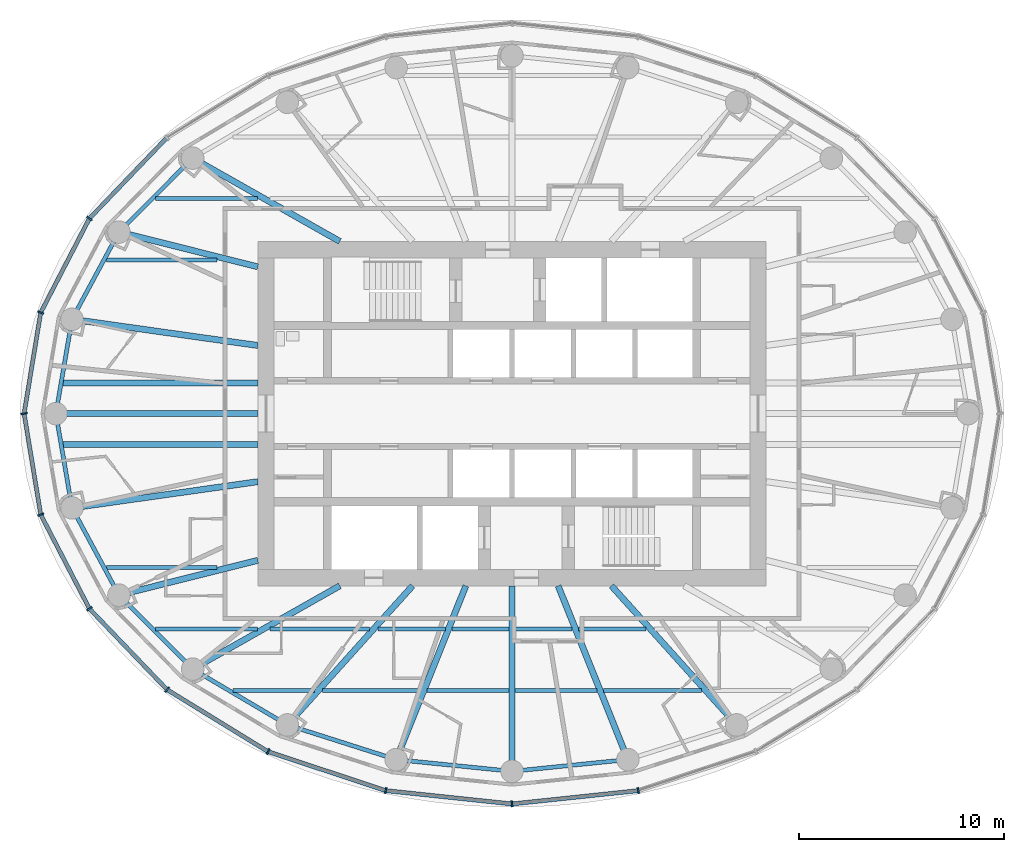
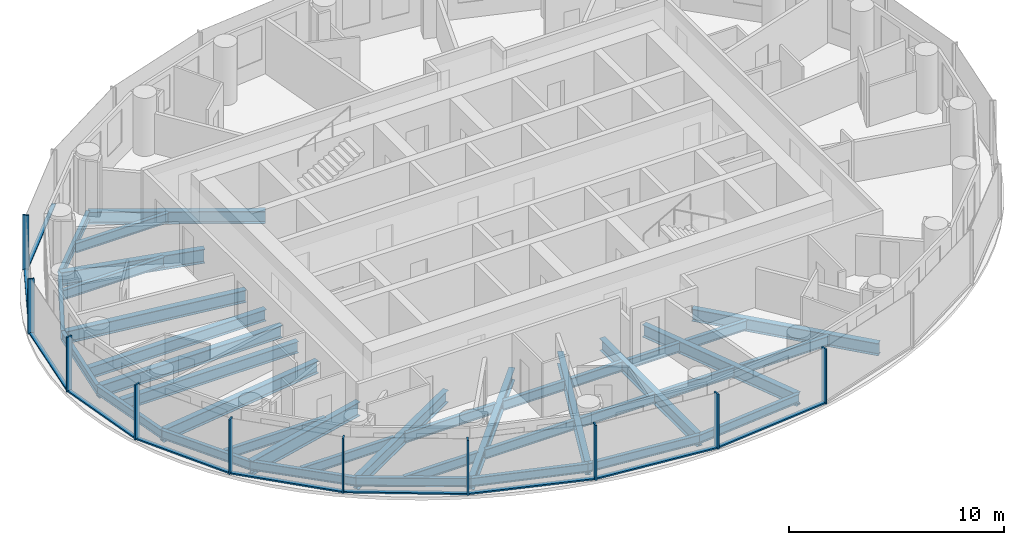
# One storey, part 2 of 14: 38 beams, 20 members, 3 elements without a shape of their own.
"""IFC4 building model written with IfcOpenShell, lengths in metres."""

from ifc_helpers import new_model, si_unit, direction, frame, origin, origin_2d, place, context, subcontext, project, spatial, rectangle, i_section, extrude, material, material_profile, profile_set, type_object, element, aggregate, save


model = new_model("IFC4")

# Units and contexts
model_context = context("Model", 3, precision=1e-05, world=origin(), true_north=direction((0.0, 1.0)))
body_context = subcontext(model_context, "Body", "Model", "MODEL_VIEW")
ifc_project = project(units=[si_unit("LENGTHUNIT", "METRE"), si_unit("AREAUNIT", "SQUARE_METRE"), si_unit("VOLUMEUNIT", "CUBIC_METRE"), si_unit("PLANEANGLEUNIT", "RADIAN"), si_unit("MASSUNIT", "GRAM", prefix="KILO")], contexts=[model_context])

# Site, building, storey
site_placement = place(None, origin())
site = spatial("IfcSite", under=ifc_project, at=site_placement, CompositionType="ELEMENT")
building_placement = place(site_placement, origin())
building = spatial("IfcBuilding", under=site, at=building_placement, Name="Hankou Lantern Tower", CompositionType="ELEMENT")
storey_placement = place(building_placement, frame((0.0, 0.0, 179.699951171875)))
storey = spatial("IfcBuildingStorey", under=building, at=storey_placement, Name="L48", CompositionType="ELEMENT", Elevation=179.699951171875)

# Beams
ifc_material_1 = material(Name="Steel Q355B", Category="steel")
ifc_material_profile_1 = material_profile(ifc_material_1, i_section(OverallWidth=0.199951171875, OverallDepth=0.5, WebThickness=0.010009765625, FlangeThickness=0.01611328125, FilletRadius=0.012939453125, at=origin_2d()), Name="HN500x200x10x16")
ifc_profile_set_1 = profile_set([ifc_material_profile_1], Name="Steel Q355B")
beam_type_1 = type_object("IfcBeamType", Name="EB5 RING BEAM HN500x200x10x16", PredefinedType="SPANDREL", material=ifc_profile_set_1)
beam_1_placement = place(storey_placement, frame((-15.576171875, 12.4609375, -0.429931640625), z_axis=(-0.706147278092, -0.708064984054, 0.0), x_axis=(0.708064984054, -0.706147278092, 0.0)))
element("IfcBeam", 1, at=beam_1_placement, inside=storey, type_object=beam_type_1, Name="Ring beam R10-R11 L48", PredefinedType="SPANDREL", context=body_context, shape_type="SweptSolid", body=[
    extrude(i_section(OverallWidth=0.199951171875, OverallDepth=0.5, WebThickness=0.010009765625, FlangeThickness=0.01611328125, FilletRadius=0.012939453125, at=origin_2d()), origin(), (0.0, 0.0, 1.0), 5.09228515625),
])
beam_2_placement = place(storey_placement, frame((-19.172119140625, 8.855224609375, -0.429931640625), z_axis=(-0.474051612334, -0.880497057828, 0.0), x_axis=(0.880497057828, -0.474051612334, 0.0)))
element("IfcBeam", 2, at=beam_2_placement, inside=storey, type_object=beam_type_1, Name="Ring beam R11-R12 L48", PredefinedType="SPANDREL", context=body_context, shape_type="SweptSolid", body=[
    extrude(i_section(OverallWidth=0.199951171875, OverallDepth=0.5, WebThickness=0.010009765625, FlangeThickness=0.01611328125, FilletRadius=0.012939453125, at=origin_2d()), origin(), (0.0, 0.0, 1.0), 4.831787109375),
])
for number, where, z_axis, x_axis, name in (
    (3, (-21.462646484375, 4.600830078125, -0.429931640625), (-0.168680718946, -0.985670743735, 0.0), (0.985670743735, -0.168680718946, 0.0), "Ring beam R12-R13 L48"),
    (4, (-22.25, 0.0, -0.429931640625), (0.168680718946, -0.985670743735, 0.0), (0.985670743735, 0.168680718946, 0.0), "Ring beam R13-R14 L48"),
):
    element("IfcBeam", number, at=place(storey_placement, frame(where, z_axis=z_axis, x_axis=x_axis)), inside=storey, type_object=beam_type_1, Name=name, PredefinedType="SPANDREL", context=body_context, shape_type="SweptSolid", body=[
        extrude(i_section(OverallWidth=0.199951171875, OverallDepth=0.5, WebThickness=0.010009765625, FlangeThickness=0.01611328125, FilletRadius=0.012939453125, at=origin_2d()), origin(), (0.0, 0.0, 1.0), 4.667724609375),
    ])
beam_3_placement = place(storey_placement, frame((-21.462646484375, -4.600830078125, -0.429931640625), z_axis=(0.474051612334, -0.880497057828, 0.0), x_axis=(0.880497057828, 0.474051612334, 0.0)))
element("IfcBeam", 5, at=beam_3_placement, inside=storey, type_object=beam_type_1, Name="Ring beam R14-R15 L48", PredefinedType="SPANDREL", context=body_context, shape_type="SweptSolid", body=[
    extrude(i_section(OverallWidth=0.199951171875, OverallDepth=0.5, WebThickness=0.010009765625, FlangeThickness=0.01611328125, FilletRadius=0.012939453125, at=origin_2d()), origin(), (0.0, 0.0, 1.0), 4.831787109375),
])
beam_4_placement = place(storey_placement, frame((-19.172119140625, -8.855224609375, -0.429931640625), z_axis=(0.706147278092, -0.708064984054, 0.0), x_axis=(0.708064984054, 0.706147278092, 0.0)))
element("IfcBeam", 6, at=beam_4_placement, inside=storey, type_object=beam_type_1, Name="Ring beam R15-R16 L48", PredefinedType="SPANDREL", context=body_context, shape_type="SweptSolid", body=[
    extrude(i_section(OverallWidth=0.199951171875, OverallDepth=0.5, WebThickness=0.010009765625, FlangeThickness=0.01611328125, FilletRadius=0.012939453125, at=origin_2d()), origin(), (0.0, 0.0, 1.0), 5.09228515625),
])
beam_5_placement = place(storey_placement, frame((-15.576171875, -12.4609375, -0.429931640625), z_axis=(0.861135888339, -0.508374843806, 0.0), x_axis=(0.508374843806, 0.861135888339, 0.0)))
element("IfcBeam", 7, at=beam_5_placement, inside=storey, type_object=beam_type_1, Name="Ring beam R16-R17 L48", PredefinedType="SPANDREL", context=body_context, shape_type="SweptSolid", body=[
    extrude(i_section(OverallWidth=0.199951171875, OverallDepth=0.5, WebThickness=0.010009765625, FlangeThickness=0.01611328125, FilletRadius=0.012939453125, at=origin_2d()), origin(), (0.0, 0.0, 1.0), 5.36083984375),
])
beam_6_placement = place(storey_placement, frame((-10.959716796875, -15.186279296875, -0.429931640625), z_axis=(0.952790404271, -0.30362879562, 0.0), x_axis=(0.30362879562, 0.952790404271, 0.0)))
element("IfcBeam", 8, at=beam_6_placement, inside=storey, type_object=beam_type_1, Name="Ring beam R17-R18 L48", PredefinedType="SPANDREL", context=body_context, shape_type="SweptSolid", body=[
    extrude(i_section(OverallWidth=0.199951171875, OverallDepth=0.5, WebThickness=0.010009765625, FlangeThickness=0.01611328125, FilletRadius=0.012939453125, at=origin_2d()), origin(), (0.0, 0.0, 1.0), 5.56982421875),
])
for number, where, z_axis, x_axis, name in (
    (9, (-5.65283203125, -16.87744140625, -0.429931640625), (0.9949104636, -0.100762936734, 0.0), (0.100762936734, 0.9949104636, 0.0), "Ring beam R18-R19 L48"),
    (10, (0.0, -17.449951171875, -0.429931640625), (0.9949104636, 0.100762936734, 0.0), (-0.100762936734, 0.9949104636, 0.0), "Ring beam R19-R20 L48"),
):
    element("IfcBeam", number, at=place(storey_placement, frame(where, z_axis=z_axis, x_axis=x_axis)), inside=storey, type_object=beam_type_1, Name=name, PredefinedType="SPANDREL", context=body_context, shape_type="SweptSolid", body=[
        extrude(i_section(OverallWidth=0.199951171875, OverallDepth=0.5, WebThickness=0.010009765625, FlangeThickness=0.01611328125, FilletRadius=0.012939453125, at=origin_2d()), origin(), (0.0, 0.0, 1.0), 5.681640625),
    ])

# Curtain wall, members
ifc_material_2 = material(Name="Glass, dark grey tinted laminated", Category="glass")
curtain_wall_type = type_object("IfcCurtainWallType", Name="CWC OUTER SKIN HIGH-RISE", PredefinedType="USERDEFINED", material=ifc_material_2)
curtain_wall_1_placement = place(storey_placement, origin())
curtain_wall_1 = element("IfcCurtainWall", 11, at=curtain_wall_1_placement, inside=storey, type_object=curtain_wall_type, Name="CWC L48 OS2", ObjectType="OUTER SKIN HIGH-RISE", PredefinedType="USERDEFINED")
ifc_material_3 = material(Name="Aluminium, black anodised", Category="aluminium")
ifc_material_profile_2 = material_profile(ifc_material_3, rectangle(XDim=0.080078125, YDim=0.300048828125, at=origin_2d()), Name="MU1 80X300")
ifc_profile_set_2 = profile_set([ifc_material_profile_2], Name="Aluminium, black anodised")
member_type_1 = type_object("IfcMemberType", Name="MU1 OUTER SKIN MULLION 80X300", PredefinedType="MULLION", material=ifc_profile_set_2)
member_1_placement = place(storey_placement, frame((-20.611328125, 9.52001953125, 0.0), z_axis=(0.0, 0.0, 1.0), x_axis=(-0.585205735974, -0.810884854084, 0.0)))
member_1 = element("IfcMember", 12, at=member_1_placement, type_object=member_type_1, Name="CWC mullion 5", PredefinedType="MULLION", context=body_context, shape_type="SweptSolid", body=[
    extrude(rectangle(XDim=0.080078125, YDim=0.300048828125, at=origin_2d()), origin(), (0.0, 0.0, 1.0), 3.1201171875),
])
member_2_placement = place(storey_placement, frame((-22.989013671875, 4.927978515625, 0.0), z_axis=(0.0, 0.0, 1.0), x_axis=(-0.317595577365, -0.94822626479, 0.0)))
member_2 = element("IfcMember", 13, at=member_2_placement, type_object=member_type_1, Name="CWC mullion 6", PredefinedType="MULLION", context=body_context, shape_type="SweptSolid", body=[
    extrude(rectangle(XDim=0.080078125, YDim=0.300048828125, at=origin_2d()), origin(), (0.0, 0.0, 1.0), 3.1201171875),
])

curtain_wall_2_placement = place(storey_placement, origin())
curtain_wall_2 = element("IfcCurtainWall", 14, at=curtain_wall_2_placement, inside=storey, type_object=curtain_wall_type, Name="CWC L48 OS3", ObjectType="OUTER SKIN HIGH-RISE", PredefinedType="USERDEFINED")
member_3_placement = place(storey_placement, frame((-23.800048828125, 0.0, 0.0), z_axis=(0.0, 0.0, 1.0), x_axis=(0.162381515188, -0.986728049427, 0.0)))
member_3 = element("IfcMember", 15, at=member_3_placement, type_object=member_type_1, Name="CWC mullion 1", PredefinedType="MULLION", context=body_context, shape_type="SweptSolid", body=[
    extrude(rectangle(XDim=0.080078125, YDim=0.300048828125, at=origin_2d()), origin(), (0.0, 0.0, 1.0), 3.1201171875),
])
member_4_placement = place(storey_placement, frame((-22.989013671875, -4.927978515625, 0.0), z_axis=(0.0, 0.0, 1.0), x_axis=(0.317595577365, -0.94822626479, 0.0)))
member_4 = element("IfcMember", 16, at=member_4_placement, type_object=member_type_1, Name="CWC mullion 2", PredefinedType="MULLION", context=body_context, shape_type="SweptSolid", body=[
    extrude(rectangle(XDim=0.080078125, YDim=0.300048828125, at=origin_2d()), origin(), (0.0, 0.0, 1.0), 3.1201171875),
])
member_5_placement = place(storey_placement, frame((-20.611328125, -9.52001953125, 0.0), z_axis=(0.0, 0.0, 1.0), x_axis=(0.585205735974, -0.810884854084, 0.0)))
member_5 = element("IfcMember", 17, at=member_5_placement, type_object=member_type_1, Name="CWC mullion 3", PredefinedType="MULLION", context=body_context, shape_type="SweptSolid", body=[
    extrude(rectangle(XDim=0.080078125, YDim=0.300048828125, at=origin_2d()), origin(), (0.0, 0.0, 1.0), 3.1201171875),
])
member_6_placement = place(storey_placement, frame((-16.8291015625, -13.46337890625, 0.0), z_axis=(0.0, 0.0, 1.0), x_axis=(0.780868809444, -0.624695047553, 0.0)))
member_6 = element("IfcMember", 18, at=member_6_placement, type_object=member_type_1, Name="CWC mullion 4", PredefinedType="MULLION", context=body_context, shape_type="SweptSolid", body=[
    extrude(rectangle(XDim=0.080078125, YDim=0.300048828125, at=origin_2d()), origin(), (0.0, 0.0, 1.0), 3.1201171875),
])
member_7_placement = place(storey_placement, frame((-11.89990234375, -16.489013671875, 0.0), z_axis=(0.0, 0.0, 1.0), x_axis=(0.907841299004, -0.419313934686, 0.0)))
member_7 = element("IfcMember", 19, at=member_7_placement, type_object=member_type_1, Name="CWC mullion 5", PredefinedType="MULLION", context=body_context, shape_type="SweptSolid", body=[
    extrude(rectangle(XDim=0.080078125, YDim=0.300048828125, at=origin_2d()), origin(), (0.0, 0.0, 1.0), 3.1201171875),
])
member_8_placement = place(storey_placement, frame((-6.159912109375, -18.39111328125, 0.0), z_axis=(0.0, 0.0, 1.0), x_axis=(0.977787659625, -0.209597931016, 0.0)))
member_8 = element("IfcMember", 20, at=member_8_placement, type_object=member_type_1, Name="CWC mullion 6", PredefinedType="MULLION", context=body_context, shape_type="SweptSolid", body=[
    extrude(rectangle(XDim=0.080078125, YDim=0.300048828125, at=origin_2d()), origin(), (0.0, 0.0, 1.0), 3.1201171875),
])

curtain_wall_3_placement = place(storey_placement, origin())
curtain_wall_3 = element("IfcCurtainWall", 21, at=curtain_wall_3_placement, inside=storey, type_object=curtain_wall_type, Name="CWC L48 OS4", ObjectType="OUTER SKIN HIGH-RISE", PredefinedType="USERDEFINED")
member_9_placement = place(storey_placement, frame((0.0, -19.0400390625, 0.0), z_axis=(0.0, 0.0, 1.0), x_axis=(0.994499359107, 0.104742659579, 0.0)))
member_9 = element("IfcMember", 22, at=member_9_placement, type_object=member_type_1, Name="CWC mullion 1", PredefinedType="MULLION", context=body_context, shape_type="SweptSolid", body=[
    extrude(rectangle(XDim=0.080078125, YDim=0.300048828125, at=origin_2d()), origin(), (0.0, 0.0, 1.0), 3.1201171875),
])
member_10_placement = place(storey_placement, frame((6.159912109375, -18.39111328125, 0.0), z_axis=(0.0, 0.0, 1.0), x_axis=(0.977787659625, 0.209597931016, 0.0)))
member_10 = element("IfcMember", 23, at=member_10_placement, type_object=member_type_1, Name="CWC mullion 2", PredefinedType="MULLION", context=body_context, shape_type="SweptSolid", body=[
    extrude(rectangle(XDim=0.080078125, YDim=0.300048828125, at=origin_2d()), origin(), (0.0, 0.0, 1.0), 3.1201171875),
])

# Beams
ifc_material_4 = material(Name="Steel Q355B", Category="steel")
ifc_material_profile_3 = material_profile(ifc_material_4, i_section(OverallWidth=0.300048828125, OverallDepth=0.800048828125, WebThickness=0.013916015625, FlangeThickness=0.02587890625, FilletRadius=0.01806640625, at=origin_2d()), Name="HN800x300x14x26")
ifc_profile_set_3 = profile_set([ifc_material_profile_3], Name="Steel Q355B")
beam_type_2 = type_object("IfcBeamType", Name="RB11 RADIAL BEAM HN800x300x14x26", PredefinedType="BEAM", material=ifc_profile_set_3)
for number, where, z_axis, x_axis, name in (
    (24, (-12.39990234375, 7.1591796875, -0.579833984375), (-0.970041619568, 0.242938791274, 0.0), (-0.242938791274, -0.970041619568, 0.0), "Radial beam R11 L48"),
    (25, (-12.39990234375, -7.1591796875, -0.579833984375), (-0.970041619568, -0.242938791274, 0.0), (0.242938791274, -0.970041619568, 0.0), "Radial beam R15 L48"),
):
    element("IfcBeam", number, at=place(storey_placement, frame(where, z_axis=z_axis, x_axis=x_axis)), inside=storey, type_object=beam_type_2, Name=name, PredefinedType="BEAM", context=body_context, shape_type="SweptSolid", body=[
        extrude(i_section(OverallWidth=0.300048828125, OverallDepth=0.800048828125, WebThickness=0.013916015625, FlangeThickness=0.02587890625, FilletRadius=0.01806640625, at=origin_2d()), origin(), (0.0, 0.0, 1.0), 6.9814453125),
    ])
ifc_material_5 = material(Name="Steel Q355B", Category="steel")
ifc_material_profile_4 = material_profile(ifc_material_5, i_section(OverallWidth=0.300048828125, OverallDepth=0.699951171875, WebThickness=0.012939453125, FlangeThickness=0.02392578125, FilletRadius=0.01806640625, at=origin_2d()), Name="HN700x300x13x24")
ifc_profile_set_4 = profile_set([ifc_material_profile_4], Name="Steel Q355B")
beam_type_3 = type_object("IfcBeamType", Name="RB9 RADIAL BEAM HN700x300x13x24", PredefinedType="BEAM", material=ifc_profile_set_4)
beam_7_placement = place(storey_placement, frame((-8.39990234375, 8.39990234375, -0.530029296875), z_axis=(-0.870309058024, 0.492505983234, 0.0), x_axis=(-0.492505983234, -0.870309058024, 0.0)))
element("IfcBeam", 26, at=beam_7_placement, inside=storey, type_object=beam_type_3, Name="Radial beam R10 L48", PredefinedType="BEAM", context=body_context, shape_type="SweptSolid", body=[
    extrude(i_section(OverallWidth=0.300048828125, OverallDepth=0.699951171875, WebThickness=0.012939453125, FlangeThickness=0.02392578125, FilletRadius=0.01806640625, at=origin_2d()), origin(), (0.0, 0.0, 1.0), 8.24560546875),
])
beam_8_placement = place(storey_placement, frame((-12.39990234375, 3.322509765625, -0.530029296875), z_axis=(-0.990198154617, 0.13966966239, 0.0), x_axis=(-0.13966966239, -0.990198154617, 0.0)))
element("IfcBeam", 27, at=beam_8_placement, inside=storey, type_object=beam_type_3, Name="Radial beam R12 L48", PredefinedType="BEAM", context=body_context, shape_type="SweptSolid", body=[
    extrude(i_section(OverallWidth=0.300048828125, OverallDepth=0.699951171875, WebThickness=0.012939453125, FlangeThickness=0.02392578125, FilletRadius=0.01806640625, at=origin_2d()), origin(), (0.0, 0.0, 1.0), 9.15234375),
])
beam_9_placement = place(storey_placement, frame((-12.39990234375, 0.0, -0.530029296875), z_axis=(-1.0, 0.0, 0.0), x_axis=(0.0, -1.0, 0.0)))
element("IfcBeam", 28, at=beam_9_placement, inside=storey, type_object=beam_type_3, Name="Radial beam R13 L48", PredefinedType="BEAM", context=body_context, shape_type="SweptSolid", body=[
    extrude(i_section(OverallWidth=0.300048828125, OverallDepth=0.699951171875, WebThickness=0.012939453125, FlangeThickness=0.02392578125, FilletRadius=0.01806640625, at=origin_2d()), origin(), (0.0, 0.0, 1.0), 9.85009765625),
])
beam_10_placement = place(storey_placement, frame((-12.39990234375, -3.322509765625, -0.530029296875), z_axis=(-0.990198154617, -0.13966966239, 0.0), x_axis=(0.13966966239, -0.990198154617, 0.0)))
element("IfcBeam", 29, at=beam_10_placement, inside=storey, type_object=beam_type_3, Name="Radial beam R14 L48", PredefinedType="BEAM", context=body_context, shape_type="SweptSolid", body=[
    extrude(i_section(OverallWidth=0.300048828125, OverallDepth=0.699951171875, WebThickness=0.012939453125, FlangeThickness=0.02392578125, FilletRadius=0.01806640625, at=origin_2d()), origin(), (0.0, 0.0, 1.0), 9.15234375),
])
beam_11_placement = place(storey_placement, frame((-8.39990234375, -8.39990234375, -0.530029296875), z_axis=(-0.870309058024, -0.492505983234, 0.0), x_axis=(0.492505983234, -0.870309058024, 0.0)))
element("IfcBeam", 30, at=beam_11_placement, inside=storey, type_object=beam_type_3, Name="Radial beam R16 L48", PredefinedType="BEAM", context=body_context, shape_type="SweptSolid", body=[
    extrude(i_section(OverallWidth=0.300048828125, OverallDepth=0.699951171875, WebThickness=0.012939453125, FlangeThickness=0.02392578125, FilletRadius=0.01806640625, at=origin_2d()), origin(), (0.0, 0.0, 1.0), 8.24560546875),
])
beam_12_placement = place(storey_placement, frame((-4.849853515625, -8.39990234375, -0.530029296875), z_axis=(-0.669093231314, -0.743178476418, 0.0), x_axis=(0.743178476418, -0.669093231314, 0.0)))
element("IfcBeam", 31, at=beam_12_placement, inside=storey, type_object=beam_type_3, Name="Radial beam R17 L48", PredefinedType="BEAM", context=body_context, shape_type="SweptSolid", body=[
    extrude(i_section(OverallWidth=0.300048828125, OverallDepth=0.699951171875, WebThickness=0.012939453125, FlangeThickness=0.02392578125, FilletRadius=0.01806640625, at=origin_2d()), origin(), (0.0, 0.0, 1.0), 9.131591796875),
])
beam_13_placement = place(storey_placement, frame((-2.250732421875, -8.39990234375, -0.530029296875), z_axis=(-0.372436468133, -0.928057690666, 0.0), x_axis=(0.928057690666, -0.372436468133, 0.0)))
element("IfcBeam", 32, at=beam_13_placement, inside=storey, type_object=beam_type_3, Name="Radial beam R18 L48", PredefinedType="BEAM", context=body_context, shape_type="SweptSolid", body=[
    extrude(i_section(OverallWidth=0.300048828125, OverallDepth=0.699951171875, WebThickness=0.012939453125, FlangeThickness=0.02392578125, FilletRadius=0.01806640625, at=origin_2d()), origin(), (0.0, 0.0, 1.0), 9.134765625),
])
beam_14_placement = place(storey_placement, frame((0.0, -8.39990234375, -0.530029296875), z_axis=(0.0, -1.0, 0.0), x_axis=(1.0, 0.0, 0.0)))
element("IfcBeam", 33, at=beam_14_placement, inside=storey, type_object=beam_type_3, Name="Radial beam R19 L48", PredefinedType="BEAM", context=body_context, shape_type="SweptSolid", body=[
    extrude(i_section(OverallWidth=0.300048828125, OverallDepth=0.699951171875, WebThickness=0.012939453125, FlangeThickness=0.02392578125, FilletRadius=0.01806640625, at=origin_2d()), origin(), (0.0, 0.0, 1.0), 9.050048828125),
])
beam_15_placement = place(storey_placement, frame((2.250732421875, -8.39990234375, -0.530029296875), z_axis=(0.372436468133, -0.928057690666, 0.0), x_axis=(0.928057690666, 0.372436468133, 0.0)))
element("IfcBeam", 34, at=beam_15_placement, inside=storey, type_object=beam_type_3, Name="Radial beam R20 L48", PredefinedType="BEAM", context=body_context, shape_type="SweptSolid", body=[
    extrude(i_section(OverallWidth=0.300048828125, OverallDepth=0.699951171875, WebThickness=0.012939453125, FlangeThickness=0.02392578125, FilletRadius=0.01806640625, at=origin_2d()), origin(), (0.0, 0.0, 1.0), 9.134765625),
])
beam_16_placement = place(storey_placement, frame((4.849853515625, -8.39990234375, -0.530029296875), z_axis=(0.669093231314, -0.743178476418, 0.0), x_axis=(0.743178476418, 0.669093231314, 0.0)))
element("IfcBeam", 35, at=beam_16_placement, inside=storey, type_object=beam_type_3, Name="Radial beam R21 L48", PredefinedType="BEAM", context=body_context, shape_type="SweptSolid", body=[
    extrude(i_section(OverallWidth=0.300048828125, OverallDepth=0.699951171875, WebThickness=0.012939453125, FlangeThickness=0.02392578125, FilletRadius=0.01806640625, at=origin_2d()), origin(), (0.0, 0.0, 1.0), 9.131591796875),
])
ifc_material_6 = material(Name="Steel Q355B", Category="steel")
ifc_material_profile_5 = material_profile(ifc_material_6, i_section(OverallWidth=0.199951171875, OverallDepth=0.550048828125, WebThickness=0.010009765625, FlangeThickness=0.01611328125, FilletRadius=0.012939453125, at=origin_2d()), Name="HN550x200x10x16")
ifc_profile_set_5 = profile_set([ifc_material_profile_5], Name="Steel Q355B")
beam_type_4 = type_object("IfcBeamType", Name="SB6 SECONDARY BEAM HN550x200x10x16", PredefinedType="JOIST", material=ifc_profile_set_5)
beam_17_placement = place(storey_placement, frame((-13.619384765625, -13.5, -0.454833984375), z_axis=(1.0, 0.0, 0.0), x_axis=(0.0, 1.0, 0.0)))
element("IfcBeam", 36, at=beam_17_placement, inside=storey, type_object=beam_type_4, Name="Floor joist J001 L48", PredefinedType="JOIST", context=body_context, shape_type="SweptSolid", body=[
    extrude(i_section(OverallWidth=0.199951171875, OverallDepth=0.550048828125, WebThickness=0.010009765625, FlangeThickness=0.01611328125, FilletRadius=0.012939453125, at=origin_2d()), origin(), (0.0, 0.0, 1.0), 3.97607421875),
])
beam_18_placement = place(storey_placement, frame((-9.23974609375, -13.5, -0.454833984375), z_axis=(1.0, 0.0, 0.0), x_axis=(0.0, 1.0, 0.0)))
element("IfcBeam", 37, at=beam_18_placement, inside=storey, type_object=beam_type_4, Name="Floor joist J002 L48", PredefinedType="JOIST", context=body_context, shape_type="SweptSolid", body=[
    extrude(i_section(OverallWidth=0.199951171875, OverallDepth=0.550048828125, WebThickness=0.010009765625, FlangeThickness=0.01611328125, FilletRadius=0.012939453125, at=origin_2d()), origin(), (0.0, 0.0, 1.0), 4.780517578125),
])
for number, where, z_axis, x_axis, name in (
    (38, (-4.135986328125, -13.5, -0.454833984375), (1.0, 0.0, 0.0), (0.0, 1.0, 0.0), "Floor joist J003 L48"),
    (39, (0.14990234375, -13.5, -0.454833984375), (1.0, 0.0, 0.0), (0.0, 1.0, 0.0), "Floor joist J004 L48"),
):
    element("IfcBeam", number, at=place(storey_placement, frame(where, z_axis=z_axis, x_axis=x_axis)), inside=storey, type_object=beam_type_4, Name=name, PredefinedType="JOIST", context=body_context, shape_type="SweptSolid", body=[
        extrude(i_section(OverallWidth=0.199951171875, OverallDepth=0.550048828125, WebThickness=0.010009765625, FlangeThickness=0.01611328125, FilletRadius=0.012939453125, at=origin_2d()), origin(), (0.0, 0.0, 1.0), 3.986083984375),
    ])
beam_19_placement = place(storey_placement, frame((4.459228515625, -13.5, -0.454833984375), z_axis=(1.0, 0.0, 0.0), x_axis=(0.0, 1.0, 0.0)))
element("IfcBeam", 40, at=beam_19_placement, inside=storey, type_object=beam_type_4, Name="Floor joist J005 L48", PredefinedType="JOIST", context=body_context, shape_type="SweptSolid", body=[
    extrude(i_section(OverallWidth=0.199951171875, OverallDepth=0.550048828125, WebThickness=0.010009765625, FlangeThickness=0.01611328125, FilletRadius=0.012939453125, at=origin_2d()), origin(), (0.0, 0.0, 1.0), 4.780517578125),
])
beam_20_placement = place(storey_placement, frame((-17.390625, -10.5, -0.454833984375), z_axis=(1.0, 0.0, 0.0), x_axis=(0.0, 1.0, 0.0)))
element("IfcBeam", 41, at=beam_20_placement, inside=storey, type_object=beam_type_4, Name="Floor joist J007 L48", PredefinedType="JOIST", context=body_context, shape_type="SweptSolid", body=[
    extrude(i_section(OverallWidth=0.199951171875, OverallDepth=0.550048828125, WebThickness=0.010009765625, FlangeThickness=0.01611328125, FilletRadius=0.012939453125, at=origin_2d()), origin(), (0.0, 0.0, 1.0), 4.97509765625),
])
beam_21_placement = place(storey_placement, frame((-11.806396484375, -10.5, -0.454833984375), z_axis=(1.0, 0.0, 0.0), x_axis=(0.0, 1.0, 0.0)))
element("IfcBeam", 42, at=beam_21_placement, inside=storey, type_object=beam_type_4, Name="Floor joist J008 L48", PredefinedType="JOIST", context=body_context, shape_type="SweptSolid", body=[
    extrude(i_section(OverallWidth=0.199951171875, OverallDepth=0.550048828125, WebThickness=0.010009765625, FlangeThickness=0.01611328125, FilletRadius=0.012939453125, at=origin_2d()), origin(), (0.0, 0.0, 1.0), 4.864013671875),
])
beam_22_placement = place(storey_placement, frame((-6.53857421875, -10.5, -0.454833984375), z_axis=(1.0, 0.0, 0.0), x_axis=(0.0, 1.0, 0.0)))
element("IfcBeam", 43, at=beam_22_placement, inside=storey, type_object=beam_type_4, Name="Floor joist J009 L48", PredefinedType="JOIST", context=body_context, shape_type="SweptSolid", body=[
    extrude(i_section(OverallWidth=0.199951171875, OverallDepth=0.550048828125, WebThickness=0.010009765625, FlangeThickness=0.01611328125, FilletRadius=0.012939453125, at=origin_2d()), origin(), (0.0, 0.0, 1.0), 3.283447265625),
])
for number, where, z_axis, x_axis, name in (
    (44, (-2.931884765625, -10.5, -0.454833984375), (1.0, 0.0, 0.0), (0.0, 1.0, 0.0), "Floor joist J010 L48"),
    (45, (0.14990234375, -10.5, -0.454833984375), (1.0, 0.0, 0.0), (0.0, 1.0, 0.0), "Floor joist J011 L48"),
):
    element("IfcBeam", number, at=place(storey_placement, frame(where, z_axis=z_axis, x_axis=x_axis)), inside=storey, type_object=beam_type_4, Name=name, PredefinedType="JOIST", context=body_context, shape_type="SweptSolid", body=[
        extrude(i_section(OverallWidth=0.199951171875, OverallDepth=0.550048828125, WebThickness=0.010009765625, FlangeThickness=0.01611328125, FilletRadius=0.012939453125, at=origin_2d()), origin(), (0.0, 0.0, 1.0), 2.781982421875),
    ])
beam_23_placement = place(storey_placement, frame((3.255126953125, -10.5, -0.454833984375), z_axis=(1.0, 0.0, 0.0), x_axis=(0.0, 1.0, 0.0)))
element("IfcBeam", 46, at=beam_23_placement, inside=storey, type_object=beam_type_4, Name="Floor joist J012 L48", PredefinedType="JOIST", context=body_context, shape_type="SweptSolid", body=[
    extrude(i_section(OverallWidth=0.199951171875, OverallDepth=0.550048828125, WebThickness=0.010009765625, FlangeThickness=0.01611328125, FilletRadius=0.012939453125, at=origin_2d()), origin(), (0.0, 0.0, 1.0), 3.283447265625),
])
for number, where, z_axis, x_axis, name in (
    (47, (-19.788330078125, -7.5, -0.454833984375), (1.0, 0.0, 0.0), (0.0, 1.0, 0.0), "Floor joist J015 L48"),
    (48, (-19.788330078125, 7.5, -0.454833984375), (1.0, 0.0, 0.0), (0.0, 1.0, 0.0), "Floor joist J025 L48"),
):
    element("IfcBeam", number, at=place(storey_placement, frame(where, z_axis=z_axis, x_axis=x_axis)), inside=storey, type_object=beam_type_4, Name=name, PredefinedType="JOIST", context=body_context, shape_type="SweptSolid", body=[
        extrude(i_section(OverallWidth=0.199951171875, OverallDepth=0.550048828125, WebThickness=0.010009765625, FlangeThickness=0.01611328125, FilletRadius=0.012939453125, at=origin_2d()), origin(), (0.0, 0.0, 1.0), 5.409912109375),
    ])
beam_24_placement = place(storey_placement, frame((-17.390625, 10.5, -0.454833984375), z_axis=(1.0, 0.0, 0.0), x_axis=(0.0, 1.0, 0.0)))
element("IfcBeam", 49, at=beam_24_placement, inside=storey, type_object=beam_type_4, Name="Floor joist J027 L48", PredefinedType="JOIST", context=body_context, shape_type="SweptSolid", body=[
    extrude(i_section(OverallWidth=0.199951171875, OverallDepth=0.550048828125, WebThickness=0.010009765625, FlangeThickness=0.01611328125, FilletRadius=0.012939453125, at=origin_2d()), origin(), (0.0, 0.0, 1.0), 4.97509765625),
])
ifc_material_7 = material(Name="Steel Q355B", Category="steel")
ifc_material_profile_6 = material_profile(ifc_material_7, i_section(OverallWidth=0.300048828125, OverallDepth=0.64990234375, WebThickness=0.010986328125, FlangeThickness=0.01708984375, FilletRadius=0.01806640625, at=origin_2d()), Name="HN650x300x11x17")
ifc_profile_set_6 = profile_set([ifc_material_profile_6], Name="Steel Q355B")
beam_type_5 = type_object("IfcBeamType", Name="SB8 SECONDARY BEAM HN650x300x11x17", PredefinedType="JOIST", material=ifc_profile_set_6)
for number, where, z_axis, x_axis, name in (
    (50, (-21.891845703125, -1.5, -0.5048828125), (1.0, 0.0, 0.0), (0.0, 1.0, 0.0), "Floor joist J019 L48"),
    (51, (-21.891845703125, 1.5, -0.5048828125), (1.0, 0.0, 0.0), (0.0, 1.0, 0.0), "Floor joist J021 L48"),
):
    element("IfcBeam", number, at=place(storey_placement, frame(where, z_axis=z_axis, x_axis=x_axis)), inside=storey, type_object=beam_type_5, Name=name, PredefinedType="JOIST", context=body_context, shape_type="SweptSolid", body=[
        extrude(i_section(OverallWidth=0.300048828125, OverallDepth=0.64990234375, WebThickness=0.010986328125, FlangeThickness=0.01708984375, FilletRadius=0.01806640625, at=origin_2d()), origin(), (0.0, 0.0, 1.0), 9.491943359375),
    ])

# Member
ifc_material_8 = material(Name="Aluminium, black anodised", Category="aluminium")
ifc_material_profile_7 = material_profile(ifc_material_8, rectangle(XDim=0.199951171875, YDim=0.080078125, at=origin_2d()), Name="TR1 200X80")
ifc_profile_set_7 = profile_set([ifc_material_profile_7], Name="Aluminium, black anodised")
member_type_2 = type_object("IfcMemberType", Name="TR1 OUTER SKIN TRANSOM 200X80", PredefinedType="USERDEFINED", material=ifc_profile_set_7)
member_11_placement = place(storey_placement, frame((-16.85693359375, 13.434326171875, 0.0400390625), z_axis=(-0.692215543831, -0.721690820836, 0.0), x_axis=(0.721690820836, -0.692215543831, 0.0)))
member_11 = element("IfcMember", 52, at=member_11_placement, type_object=member_type_2, Name="CWC transom 4", ObjectType="TRANSOM", PredefinedType="USERDEFINED", context=body_context, shape_type="SweptSolid", body=[
    extrude(rectangle(XDim=0.199951171875, YDim=0.080078125, at=origin_2d()), origin(), (0.0, 0.0, 1.0), 5.3837890625),
])

member_12_placement = place(storey_placement, frame((-20.6298828125, 9.484375, 0.0400390625), z_axis=(-0.459790772977, -0.888027277219, 0.0), x_axis=(0.888027277219, -0.459790772977, 0.0)))
member_12 = element("IfcMember", 53, at=member_12_placement, type_object=member_type_2, Name="CWC transom 5", ObjectType="TRANSOM", PredefinedType="USERDEFINED", context=body_context, shape_type="SweptSolid", body=[
    extrude(rectangle(XDim=0.199951171875, YDim=0.080078125, at=origin_2d()), origin(), (0.0, 0.0, 1.0), 5.091064453125),
])

member_13_placement = place(storey_placement, frame((-22.99560546875, 4.888427734375, 0.0400390625), z_axis=(-0.162360337061, -0.986731534385, 0.0), x_axis=(0.986731534385, -0.162360337061, 0.0)))
member_13 = element("IfcMember", 54, at=member_13_placement, type_object=member_type_2, Name="CWC transom 6", ObjectType="TRANSOM", PredefinedType="USERDEFINED", context=body_context, shape_type="SweptSolid", body=[
    extrude(rectangle(XDim=0.199951171875, YDim=0.080078125, at=origin_2d()), origin(), (0.0, 0.0, 1.0), 4.9140625),
])

aggregate(curtain_wall_1, [member_1, member_2, member_11, member_12, member_13])

member_14_placement = place(storey_placement, frame((-23.79345703125, -0.03955078125, 0.0400390625), z_axis=(0.162360337061, -0.986731534385, 0.0), x_axis=(0.986731534385, 0.162360337061, 0.0)))
member_14 = element("IfcMember", 55, at=member_14_placement, type_object=member_type_2, Name="CWC transom 1", ObjectType="TRANSOM", PredefinedType="USERDEFINED", context=body_context, shape_type="SweptSolid", body=[
    extrude(rectangle(XDim=0.199951171875, YDim=0.080078125, at=origin_2d()), origin(), (0.0, 0.0, 1.0), 4.9140625),
])

member_15_placement = place(storey_placement, frame((-22.970703125, -4.96337890625, 0.0400390625), z_axis=(0.459790772977, -0.888027277219, 0.0), x_axis=(0.888027277219, 0.459790772977, 0.0)))
member_15 = element("IfcMember", 56, at=member_15_placement, type_object=member_type_2, Name="CWC transom 2", ObjectType="TRANSOM", PredefinedType="USERDEFINED", context=body_context, shape_type="SweptSolid", body=[
    extrude(rectangle(XDim=0.199951171875, YDim=0.080078125, at=origin_2d()), origin(), (0.0, 0.0, 1.0), 5.091064453125),
])

member_16_placement = place(storey_placement, frame((-20.583740234375, -9.548828125, 0.0400390625), z_axis=(0.692215543831, -0.721690820836, 0.0), x_axis=(0.721690820836, 0.692215543831, 0.0)))
member_16 = element("IfcMember", 57, at=member_16_placement, type_object=member_type_2, Name="CWC transom 3", ObjectType="TRANSOM", PredefinedType="USERDEFINED", context=body_context, shape_type="SweptSolid", body=[
    extrude(rectangle(XDim=0.199951171875, YDim=0.080078125, at=origin_2d()), origin(), (0.0, 0.0, 1.0), 5.3837890625),
])

member_17_placement = place(storey_placement, frame((-16.795166015625, -13.484130859375, 0.0400390625), z_axis=(0.852229482357, -0.523168146394, 0.0), x_axis=(0.523168146394, 0.852229482357, 0.0)))
member_17 = element("IfcMember", 58, at=member_17_placement, type_object=member_type_2, Name="CWC transom 4", ObjectType="TRANSOM", PredefinedType="USERDEFINED", context=body_context, shape_type="SweptSolid", body=[
    extrude(rectangle(XDim=0.199951171875, YDim=0.080078125, at=origin_2d()), origin(), (0.0, 0.0, 1.0), 5.703857421875),
])

member_18_placement = place(storey_placement, frame((-11.862060546875, -16.501708984375, 0.0400390625), z_axis=(0.949242327551, -0.314545709849, 0.0), x_axis=(0.314545709849, 0.949242327551, 0.0)))
member_18 = element("IfcMember", 59, at=member_18_placement, type_object=member_type_2, Name="CWC transom 5", ObjectType="TRANSOM", PredefinedType="USERDEFINED", context=body_context, shape_type="SweptSolid", body=[
    extrude(rectangle(XDim=0.199951171875, YDim=0.080078125, at=origin_2d()), origin(), (0.0, 0.0, 1.0), 5.96728515625),
])

member_19_placement = place(storey_placement, frame((-6.1201171875, -18.3955078125, 0.0400390625), z_axis=(0.994499543631, -0.104740907567, 0.0), x_axis=(0.104740907567, 0.994499543631, 0.0)))
member_19 = element("IfcMember", 60, at=member_19_placement, type_object=member_type_2, Name="CWC transom 6", ObjectType="TRANSOM", PredefinedType="USERDEFINED", context=body_context, shape_type="SweptSolid", body=[
    extrude(rectangle(XDim=0.199951171875, YDim=0.080078125, at=origin_2d()), origin(), (0.0, 0.0, 1.0), 6.114013671875),
])

aggregate(curtain_wall_2, [member_3, member_4, member_5, member_6, member_7, member_8, member_14, member_15, member_16, member_17, member_18, member_19])

member_20_placement = place(storey_placement, frame((0.039794921875, -19.035888671875, 0.0400390625), z_axis=(0.994499543631, 0.104740907567, 0.0), x_axis=(-0.104740907567, 0.994499543631, 0.0)))
member_20 = element("IfcMember", 61, at=member_20_placement, type_object=member_type_2, Name="CWC transom 1", ObjectType="TRANSOM", PredefinedType="USERDEFINED", context=body_context, shape_type="SweptSolid", body=[
    extrude(rectangle(XDim=0.199951171875, YDim=0.080078125, at=origin_2d()), origin(), (0.0, 0.0, 1.0), 6.114013671875),
])

aggregate(curtain_wall_3, [member_9, member_10, member_20])

save(model, "model.ifc")
